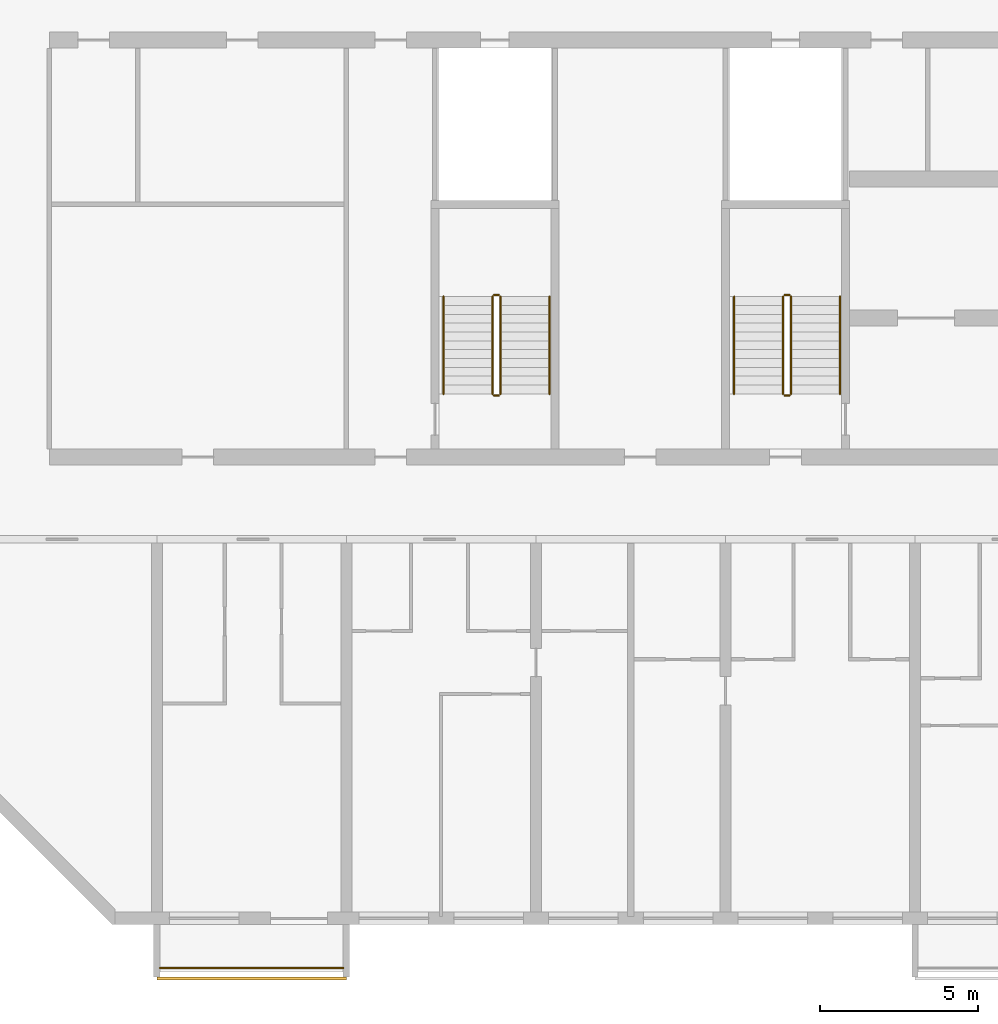
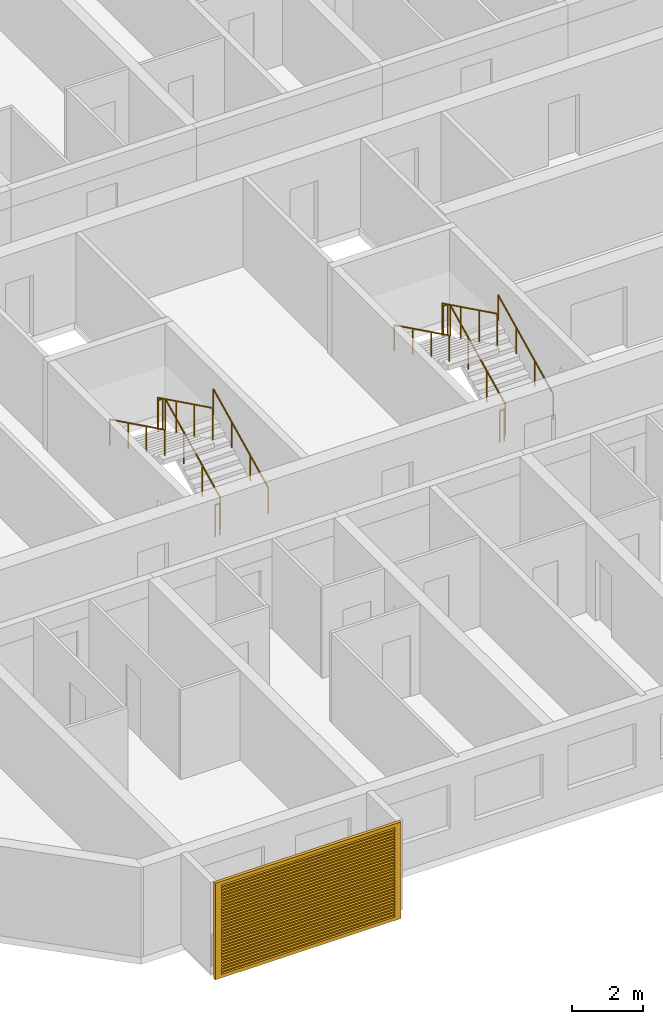
# One storey, part 17 of 30: 13 railings, 1 shading device.
"""IFC4 building model written with IfcOpenShell, lengths in metres."""

from ifc_helpers import new_model, si_unit, direction, frame, origin, origin_2d, place, context, subcontext, project, spatial, polyline, circle, outline, extrude, source, transform, mapped, material, material_profile, profile_set, type_object, element, save


model = new_model("IFC4")

# Units and contexts
model_context = context("Model", 3, precision=1e-05, world=origin(), true_north=direction((0.0, 1.0)))
body_context = subcontext(model_context, "Body", "Model", "MODEL_VIEW")
ifc_project = project(units=[si_unit("LENGTHUNIT", "METRE"), si_unit("AREAUNIT", "SQUARE_METRE"), si_unit("VOLUMEUNIT", "CUBIC_METRE"), si_unit("PLANEANGLEUNIT", "RADIAN"), si_unit("MASSUNIT", "GRAM", prefix="KILO")], contexts=[model_context])

# Site, building, storey
site_placement = place(None, origin())
site = spatial("IfcSite", under=ifc_project, at=site_placement, CompositionType="ELEMENT")
building_placement = place(site_placement, origin())
building = spatial("IfcBuilding", under=site, at=building_placement, Name="Poui Terraces", CompositionType="ELEMENT")
storey_placement = place(building_placement, frame((0.0, 0.0, 99.300048828125)))
storey = spatial("IfcBuildingStorey", under=building, at=storey_placement, Name="L27", CompositionType="ELEMENT", Elevation=99.300048828125)

# Railings
ifc_material_1 = material(Name="Painted steel fretwork", Category="steel")
railing_type_1 = type_object("IfcRailingType", Name="BALCONY GUARD 1100", PredefinedType="GUARDRAIL", material=ifc_material_1)
railing_1_placement = place(storey_placement, frame((12.10009765625, -1.570068359375, 0.0)))
element("IfcRailing", 1, at=railing_1_placement, inside=storey, type_object=railing_type_1, Name="BALCONY GUARD", PredefinedType="GUARDRAIL", context=body_context, shape_type="SweptSolid", body=[
    extrude(circle(Radius=0.02392578125, at=origin_2d()), frame((0.0, 0.0, 1.076171875), z_axis=(1.0, 0.0, 0.0), x_axis=(0.0, 1.0, 0.0)), (0.0, 0.0, 1.0), 5.7998046875),
    extrude(circle(Radius=0.02099609375, at=origin_2d()), origin(), (0.0, 0.0, 1.0), 1.052001953125),
    extrude(circle(Radius=0.02099609375, at=origin_2d()), frame((0.966552734375, 0.0, 0.0)), (0.0, 0.0, 1.0), 1.052001953125),
    extrude(circle(Radius=0.02099609375, at=origin_2d()), frame((1.933349609375, 0.0, 0.0)), (0.0, 0.0, 1.0), 1.052001953125),
    extrude(circle(Radius=0.02099609375, at=origin_2d()), frame((2.89990234375, 0.0, 0.0)), (0.0, 0.0, 1.0), 1.052001953125),
    extrude(circle(Radius=0.02099609375, at=origin_2d()), frame((3.866455078125, 0.0, 0.0)), (0.0, 0.0, 1.0), 1.052001953125),
    extrude(circle(Radius=0.02099609375, at=origin_2d()), frame((4.833251953125, 0.0, 0.0)), (0.0, 0.0, 1.0), 1.052001953125),
    extrude(circle(Radius=0.02099609375, at=origin_2d()), frame((5.7998046875, 0.0, 0.0)), (0.0, 0.0, 1.0), 1.052001953125),
])
ifc_material_2 = material(Name="Galvanised steel balustrade", Category="steel")
railing_type_2 = type_object("IfcRailingType", Name="STAIR GUARD 1100", PredefinedType="GUARDRAIL", material=ifc_material_2)
railing_2_placement = place(storey_placement, frame((32.074951171875, 16.60009765625, 0.137451171875)))
element("IfcRailing", 2, at=railing_2_placement, inside=storey, type_object=railing_type_2, Name="L27 ST-CW stair guard 1", PredefinedType="GUARDRAIL", context=body_context, shape_type="SweptSolid", body=[
    extrude(circle(Radius=0.02392578125, at=origin_2d()), frame((0.0, 0.0, 1.076171875), z_axis=(0.0, 0.897606190399, 0.440798283751), x_axis=(-1.0, 0.0, 0.0)), (0.0, 0.0, 1.0), 3.43115234375),
    extrude(circle(Radius=0.02099609375, at=origin_2d()), origin(), (0.0, 0.0, 1.0), 1.052001953125),
    extrude(circle(Radius=0.02099609375, at=origin_2d()), frame((0.0, 1.026611328125, 0.504150390625)), (0.0, 0.0, 1.0), 1.052001953125),
    extrude(circle(Radius=0.02099609375, at=origin_2d()), frame((0.0, 2.05322265625, 1.00830078125)), (0.0, 0.0, 1.0), 1.052001953125),
    extrude(circle(Radius=0.02099609375, at=origin_2d()), frame((0.0, 3.079833984375, 1.512451171875)), (0.0, 0.0, 1.0), 1.052001953125),
])
railing_3_placement = place(storey_placement, frame((32.02490234375, 19.72998046875, 1.64990234375)))
element("IfcRailing", 3, at=railing_3_placement, inside=storey, type_object=railing_type_2, Name="L27 ST-CW stair guard 2", PredefinedType="GUARDRAIL", context=body_context, shape_type="SweptSolid", body=[
    extrude(circle(Radius=0.02392578125, at=origin_2d()), frame((0.0, 0.0, 1.076171875), z_axis=(-1.0, 0.0, 0.0), x_axis=(0.0, -1.0, 0.0)), (0.0, 0.0, 1.0), 0.14990234375),
    extrude(circle(Radius=0.02099609375, at=origin_2d()), origin(), (0.0, 0.0, 1.0), 1.052001953125),
    extrude(circle(Radius=0.02099609375, at=origin_2d()), frame((-0.14990234375, 0.0, 0.0)), (0.0, 0.0, 1.0), 1.052001953125),
])
railing_4_placement = place(storey_placement, frame((31.824951171875, 19.679931640625, 1.787353515625)))
element("IfcRailing", 4, at=railing_4_placement, inside=storey, type_object=railing_type_2, Name="L27 ST-CW stair guard 3", PredefinedType="GUARDRAIL", context=body_context, shape_type="SweptSolid", body=[
    extrude(circle(Radius=0.02392578125, at=origin_2d()), frame((0.0, 0.0, 1.076171875), z_axis=(0.0, -0.897578036475, 0.440855609512), x_axis=(1.0, 0.0, 0.0)), (0.0, 0.0, 1.0), 3.43115234375),
    extrude(circle(Radius=0.02099609375, at=origin_2d()), origin(), (0.0, 0.0, 1.0), 1.052001953125),
    extrude(circle(Radius=0.02099609375, at=origin_2d()), frame((0.0, -1.026611328125, 0.504150390625)), (0.0, 0.0, 1.0), 1.052001953125),
    extrude(circle(Radius=0.02099609375, at=origin_2d()), frame((0.0, -2.05322265625, 1.008544921875)), (0.0, 0.0, 1.0), 1.052001953125),
    extrude(circle(Radius=0.02099609375, at=origin_2d()), frame((0.0, -3.079833984375, 1.5126953125)), (0.0, 0.0, 1.0), 1.052001953125),
])
railing_5_placement = place(storey_placement, frame((32.02490234375, 16.550048828125, 0.0)))
element("IfcRailing", 5, at=railing_5_placement, inside=storey, type_object=railing_type_2, Name="L27 ST-CW stair guard 4", PredefinedType="GUARDRAIL", context=body_context, shape_type="SweptSolid", body=[
    extrude(circle(Radius=0.02392578125, at=origin_2d()), frame((0.0, 0.0, 1.076171875), z_axis=(-1.0, 0.0, 0.0), x_axis=(0.0, -1.0, 0.0)), (0.0, 0.0, 1.0), 0.14990234375),
    extrude(circle(Radius=0.02099609375, at=origin_2d()), origin(), (0.0, 0.0, 1.0), 1.052001953125),
    extrude(circle(Radius=0.02099609375, at=origin_2d()), frame((-0.14990234375, 0.0, 0.0)), (0.0, 0.0, 1.0), 1.052001953125),
])
railing_6_placement = place(storey_placement, frame((22.875, 16.60009765625, 0.137451171875)))
element("IfcRailing", 6, at=railing_6_placement, inside=storey, type_object=railing_type_2, Name="L27 ST-W stair guard 1", PredefinedType="GUARDRAIL", context=body_context, shape_type="SweptSolid", body=[
    extrude(circle(Radius=0.02392578125, at=origin_2d()), frame((0.0, 0.0, 1.076171875), z_axis=(0.0, 0.897606190399, 0.440798283751), x_axis=(-1.0, 0.0, 0.0)), (0.0, 0.0, 1.0), 3.43115234375),
    extrude(circle(Radius=0.02099609375, at=origin_2d()), origin(), (0.0, 0.0, 1.0), 1.052001953125),
    extrude(circle(Radius=0.02099609375, at=origin_2d()), frame((0.0, 1.026611328125, 0.504150390625)), (0.0, 0.0, 1.0), 1.052001953125),
    extrude(circle(Radius=0.02099609375, at=origin_2d()), frame((0.0, 2.05322265625, 1.00830078125)), (0.0, 0.0, 1.0), 1.052001953125),
    extrude(circle(Radius=0.02099609375, at=origin_2d()), frame((0.0, 3.079833984375, 1.512451171875)), (0.0, 0.0, 1.0), 1.052001953125),
])
railing_7_placement = place(storey_placement, frame((22.824951171875, 19.72998046875, 1.64990234375)))
element("IfcRailing", 7, at=railing_7_placement, inside=storey, type_object=railing_type_2, Name="L27 ST-W stair guard 2", PredefinedType="GUARDRAIL", context=body_context, shape_type="SweptSolid", body=[
    extrude(circle(Radius=0.02392578125, at=origin_2d()), frame((0.0, 0.0, 1.076171875), z_axis=(-1.0, 0.0, 0.0), x_axis=(0.0, -1.0, 0.0)), (0.0, 0.0, 1.0), 0.14990234375),
    extrude(circle(Radius=0.02099609375, at=origin_2d()), origin(), (0.0, 0.0, 1.0), 1.052001953125),
    extrude(circle(Radius=0.02099609375, at=origin_2d()), frame((-0.14990234375, 0.0, 0.0)), (0.0, 0.0, 1.0), 1.052001953125),
])
railing_8_placement = place(storey_placement, frame((22.625, 19.679931640625, 1.787353515625)))
element("IfcRailing", 8, at=railing_8_placement, inside=storey, type_object=railing_type_2, Name="L27 ST-W stair guard 3", PredefinedType="GUARDRAIL", context=body_context, shape_type="SweptSolid", body=[
    extrude(circle(Radius=0.02392578125, at=origin_2d()), frame((0.0, 0.0, 1.076171875), z_axis=(0.0, -0.897578036475, 0.440855609512), x_axis=(1.0, 0.0, 0.0)), (0.0, 0.0, 1.0), 3.43115234375),
    extrude(circle(Radius=0.02099609375, at=origin_2d()), origin(), (0.0, 0.0, 1.0), 1.052001953125),
    extrude(circle(Radius=0.02099609375, at=origin_2d()), frame((0.0, -1.026611328125, 0.504150390625)), (0.0, 0.0, 1.0), 1.052001953125),
    extrude(circle(Radius=0.02099609375, at=origin_2d()), frame((0.0, -2.05322265625, 1.008544921875)), (0.0, 0.0, 1.0), 1.052001953125),
    extrude(circle(Radius=0.02099609375, at=origin_2d()), frame((0.0, -3.079833984375, 1.5126953125)), (0.0, 0.0, 1.0), 1.052001953125),
])
railing_9_placement = place(storey_placement, frame((22.824951171875, 16.550048828125, 0.0)))
element("IfcRailing", 9, at=railing_9_placement, inside=storey, type_object=railing_type_2, Name="L27 ST-W stair guard 4", PredefinedType="GUARDRAIL", context=body_context, shape_type="SweptSolid", body=[
    extrude(circle(Radius=0.02392578125, at=origin_2d()), frame((0.0, 0.0, 1.076171875), z_axis=(-1.0, 0.0, 0.0), x_axis=(0.0, -1.0, 0.0)), (0.0, 0.0, 1.0), 0.14990234375),
    extrude(circle(Radius=0.02099609375, at=origin_2d()), origin(), (0.0, 0.0, 1.0), 1.052001953125),
    extrude(circle(Radius=0.02099609375, at=origin_2d()), frame((-0.14990234375, 0.0, 0.0)), (0.0, 0.0, 1.0), 1.052001953125),
])
ifc_material_3 = material(Name="Stainless steel handrail", Category="steel")
railing_type_3 = type_object("IfcRailingType", Name="STAIR HANDRAIL 900", PredefinedType="HANDRAIL", material=ifc_material_3)
railing_10_placement = place(storey_placement, frame((33.625, 16.60009765625, 0.137451171875)))
element("IfcRailing", 10, at=railing_10_placement, inside=storey, type_object=railing_type_3, Name="L27 ST-CW stair handrail 1", PredefinedType="HANDRAIL", context=body_context, shape_type="SweptSolid", body=[
    extrude(circle(Radius=0.02392578125, at=origin_2d()), frame((0.0, 0.0, 0.8759765625), z_axis=(0.0, 0.897606190399, 0.440798283751), x_axis=(-1.0, 0.0, 0.0)), (0.0, 0.0, 1.0), 3.43115234375),
    extrude(circle(Radius=0.02099609375, at=origin_2d()), origin(), (0.0, 0.0, 1.0), 0.851806640625),
    extrude(circle(Radius=0.02099609375, at=origin_2d()), frame((0.0, 1.026611328125, 0.504150390625)), (0.0, 0.0, 1.0), 0.851806640625),
    extrude(circle(Radius=0.02099609375, at=origin_2d()), frame((0.0, 2.05322265625, 1.00830078125)), (0.0, 0.0, 1.0), 0.851806640625),
    extrude(circle(Radius=0.02099609375, at=origin_2d()), frame((0.0, 3.079833984375, 1.512451171875)), (0.0, 0.0, 1.0), 0.851806640625),
])
railing_11_placement = place(storey_placement, frame((30.27490234375, 19.679931640625, 1.787353515625)))
element("IfcRailing", 11, at=railing_11_placement, inside=storey, type_object=railing_type_3, Name="L27 ST-CW stair handrail 2", PredefinedType="HANDRAIL", context=body_context, shape_type="SweptSolid", body=[
    extrude(circle(Radius=0.02392578125, at=origin_2d()), frame((0.0, 0.0, 0.8759765625), z_axis=(0.0, -0.897578036475, 0.440855609512), x_axis=(1.0, 0.0, 0.0)), (0.0, 0.0, 1.0), 3.43115234375),
    extrude(circle(Radius=0.02099609375, at=origin_2d()), origin(), (0.0, 0.0, 1.0), 0.851806640625),
    extrude(circle(Radius=0.02099609375, at=origin_2d()), frame((0.0, -1.026611328125, 0.504150390625)), (0.0, 0.0, 1.0), 0.851806640625),
    extrude(circle(Radius=0.02099609375, at=origin_2d()), frame((0.0, -2.05322265625, 1.008544921875)), (0.0, 0.0, 1.0), 0.851806640625),
    extrude(circle(Radius=0.02099609375, at=origin_2d()), frame((0.0, -3.079833984375, 1.5126953125)), (0.0, 0.0, 1.0), 0.851806640625),
])
railing_12_placement = place(storey_placement, frame((24.425048828125, 16.60009765625, 0.137451171875)))
element("IfcRailing", 12, at=railing_12_placement, inside=storey, type_object=railing_type_3, Name="L27 ST-W stair handrail 1", PredefinedType="HANDRAIL", context=body_context, shape_type="SweptSolid", body=[
    extrude(circle(Radius=0.02392578125, at=origin_2d()), frame((0.0, 0.0, 0.8759765625), z_axis=(0.0, 0.897606190399, 0.440798283751), x_axis=(-1.0, 0.0, 0.0)), (0.0, 0.0, 1.0), 3.43115234375),
    extrude(circle(Radius=0.02099609375, at=origin_2d()), origin(), (0.0, 0.0, 1.0), 0.851806640625),
    extrude(circle(Radius=0.02099609375, at=origin_2d()), frame((0.0, 1.026611328125, 0.504150390625)), (0.0, 0.0, 1.0), 0.851806640625),
    extrude(circle(Radius=0.02099609375, at=origin_2d()), frame((0.0, 2.05322265625, 1.00830078125)), (0.0, 0.0, 1.0), 0.851806640625),
    extrude(circle(Radius=0.02099609375, at=origin_2d()), frame((0.0, 3.079833984375, 1.512451171875)), (0.0, 0.0, 1.0), 0.851806640625),
])
railing_13_placement = place(storey_placement, frame((21.074951171875, 19.679931640625, 1.787353515625)))
element("IfcRailing", 13, at=railing_13_placement, inside=storey, type_object=railing_type_3, Name="L27 ST-W stair handrail 2", PredefinedType="HANDRAIL", context=body_context, shape_type="SweptSolid", body=[
    extrude(circle(Radius=0.02392578125, at=origin_2d()), frame((0.0, 0.0, 0.8759765625), z_axis=(0.0, -0.897578036475, 0.440855609512), x_axis=(1.0, 0.0, 0.0)), (0.0, 0.0, 1.0), 3.43115234375),
    extrude(circle(Radius=0.02099609375, at=origin_2d()), origin(), (0.0, 0.0, 1.0), 0.851806640625),
    extrude(circle(Radius=0.02099609375, at=origin_2d()), frame((0.0, -1.026611328125, 0.504150390625)), (0.0, 0.0, 1.0), 0.851806640625),
    extrude(circle(Radius=0.02099609375, at=origin_2d()), frame((0.0, -2.05322265625, 1.008544921875)), (0.0, 0.0, 1.0), 0.851806640625),
    extrude(circle(Radius=0.02099609375, at=origin_2d()), frame((0.0, -3.079833984375, 1.5126953125)), (0.0, 0.0, 1.0), 0.851806640625),
])

# Shading device
ifc_material_4 = material(Name="Aluminium louvre", Category="aluminium")
ifc_material_profile = material_profile(ifc_material_4, outline(polyline([(-3.0, -1.64990234375), (3.0, -1.64990234375), (3.0, 1.64990234375), (-3.0, 1.64990234375), (-3.0, -1.64990234375)]), holes=[polyline([(-2.800048828125, -1.530029296875), (2.800048828125, -1.530029296875), (2.800048828125, -1.469970703125), (-2.800048828125, -1.469970703125), (-2.800048828125, -1.530029296875)]), polyline([(-2.800048828125, -1.429931640625), (2.800048828125, -1.429931640625), (2.800048828125, -1.3701171875), (-2.800048828125, -1.3701171875), (-2.800048828125, -1.429931640625)]), polyline([(-2.800048828125, -1.330078125), (2.800048828125, -1.330078125), (2.800048828125, -1.27001953125), (-2.800048828125, -1.27001953125), (-2.800048828125, -1.330078125)]), polyline([(-2.800048828125, -1.22998046875), (2.800048828125, -1.22998046875), (2.800048828125, -1.169921875), (-2.800048828125, -1.169921875), (-2.800048828125, -1.22998046875)]), polyline([(-2.800048828125, -1.1298828125), (2.800048828125, -1.1298828125), (2.800048828125, -1.070068359375), (-2.800048828125, -1.070068359375), (-2.800048828125, -1.1298828125)]), polyline([(-2.800048828125, -1.030029296875), (2.800048828125, -1.030029296875), (2.800048828125, -0.969970703125), (-2.800048828125, -0.969970703125), (-2.800048828125, -1.030029296875)]), polyline([(-2.800048828125, -0.929931640625), (2.800048828125, -0.929931640625), (2.800048828125, -0.8701171875), (-2.800048828125, -0.8701171875), (-2.800048828125, -0.929931640625)]), polyline([(-2.800048828125, -0.830078125), (2.800048828125, -0.830078125), (2.800048828125, -0.77001953125), (-2.800048828125, -0.77001953125), (-2.800048828125, -0.830078125)]), polyline([(-2.800048828125, -0.72998046875), (2.800048828125, -0.72998046875), (2.800048828125, -0.669921875), (-2.800048828125, -0.669921875), (-2.800048828125, -0.72998046875)]), polyline([(-2.800048828125, -0.6298828125), (2.800048828125, -0.6298828125), (2.800048828125, -0.570068359375), (-2.800048828125, -0.570068359375), (-2.800048828125, -0.6298828125)]), polyline([(-2.800048828125, -0.530029296875), (2.800048828125, -0.530029296875), (2.800048828125, -0.469970703125), (-2.800048828125, -0.469970703125), (-2.800048828125, -0.530029296875)]), polyline([(-2.800048828125, -0.429931640625), (2.800048828125, -0.429931640625), (2.800048828125, -0.3701171875), (-2.800048828125, -0.3701171875), (-2.800048828125, -0.429931640625)]), polyline([(-2.800048828125, -0.330078125), (2.800048828125, -0.330078125), (2.800048828125, -0.27001953125), (-2.800048828125, -0.27001953125), (-2.800048828125, -0.330078125)]), polyline([(-2.800048828125, -0.22998046875), (2.800048828125, -0.22998046875), (2.800048828125, -0.169921875), (-2.800048828125, -0.169921875), (-2.800048828125, -0.22998046875)]), polyline([(-2.800048828125, -0.1298828125), (2.800048828125, -0.1298828125), (2.800048828125, -0.070068359375), (-2.800048828125, -0.070068359375), (-2.800048828125, -0.1298828125)]), polyline([(-2.800048828125, -0.030029296875), (2.800048828125, -0.030029296875), (2.800048828125, 0.030029296875), (-2.800048828125, 0.030029296875), (-2.800048828125, -0.030029296875)]), polyline([(-2.800048828125, 0.070068359375), (2.800048828125, 0.070068359375), (2.800048828125, 0.1298828125), (-2.800048828125, 0.1298828125), (-2.800048828125, 0.070068359375)]), polyline([(-2.800048828125, 0.169921875), (2.800048828125, 0.169921875), (2.800048828125, 0.22998046875), (-2.800048828125, 0.22998046875), (-2.800048828125, 0.169921875)]), polyline([(-2.800048828125, 0.27001953125), (2.800048828125, 0.27001953125), (2.800048828125, 0.330078125), (-2.800048828125, 0.330078125), (-2.800048828125, 0.27001953125)]), polyline([(-2.800048828125, 0.3701171875), (2.800048828125, 0.3701171875), (2.800048828125, 0.429931640625), (-2.800048828125, 0.429931640625), (-2.800048828125, 0.3701171875)]), polyline([(-2.800048828125, 0.469970703125), (2.800048828125, 0.469970703125), (2.800048828125, 0.530029296875), (-2.800048828125, 0.530029296875), (-2.800048828125, 0.469970703125)]), polyline([(-2.800048828125, 0.570068359375), (2.800048828125, 0.570068359375), (2.800048828125, 0.6298828125), (-2.800048828125, 0.6298828125), (-2.800048828125, 0.570068359375)]), polyline([(-2.800048828125, 0.669921875), (2.800048828125, 0.669921875), (2.800048828125, 0.72998046875), (-2.800048828125, 0.72998046875), (-2.800048828125, 0.669921875)]), polyline([(-2.800048828125, 0.77001953125), (2.800048828125, 0.77001953125), (2.800048828125, 0.830078125), (-2.800048828125, 0.830078125), (-2.800048828125, 0.77001953125)]), polyline([(-2.800048828125, 0.8701171875), (2.800048828125, 0.8701171875), (2.800048828125, 0.929931640625), (-2.800048828125, 0.929931640625), (-2.800048828125, 0.8701171875)]), polyline([(-2.800048828125, 0.969970703125), (2.800048828125, 0.969970703125), (2.800048828125, 1.030029296875), (-2.800048828125, 1.030029296875), (-2.800048828125, 0.969970703125)]), polyline([(-2.800048828125, 1.070068359375), (2.800048828125, 1.070068359375), (2.800048828125, 1.1298828125), (-2.800048828125, 1.1298828125), (-2.800048828125, 1.070068359375)]), polyline([(-2.800048828125, 1.169921875), (2.800048828125, 1.169921875), (2.800048828125, 1.22998046875), (-2.800048828125, 1.22998046875), (-2.800048828125, 1.169921875)]), polyline([(-2.800048828125, 1.27001953125), (2.800048828125, 1.27001953125), (2.800048828125, 1.330078125), (-2.800048828125, 1.330078125), (-2.800048828125, 1.27001953125)]), polyline([(-2.800048828125, 1.3701171875), (2.800048828125, 1.3701171875), (2.800048828125, 1.429931640625), (-2.800048828125, 1.429931640625), (-2.800048828125, 1.3701171875)]), polyline([(-2.800048828125, 1.469970703125), (2.800048828125, 1.469970703125), (2.800048828125, 1.530029296875), (-2.800048828125, 1.530029296875), (-2.800048828125, 1.469970703125)])]), Name="JALOUSIE LOUVRE SHUTTER 6000X3300")
ifc_profile_set = profile_set([ifc_material_profile], Name="Aluminium louvre")
shading_device_type = type_object("IfcShadingDeviceType", Name="JALOUSIE LOUVRE SHUTTER 6000X3300", PredefinedType="JALOUSIE", material=ifc_profile_set)
shared_shape = source(origin(), body_context, "Body", "SweptSolid", [
    extrude(outline(polyline([(-3.0, -1.64990234375), (3.0, -1.64990234375), (3.0, 1.64990234375), (-3.0, 1.64990234375), (-3.0, -1.64990234375)]), holes=[polyline([(-2.800048828125, -1.530029296875), (2.800048828125, -1.530029296875), (2.800048828125, -1.469970703125), (-2.800048828125, -1.469970703125), (-2.800048828125, -1.530029296875)]), polyline([(-2.800048828125, -1.429931640625), (2.800048828125, -1.429931640625), (2.800048828125, -1.3701171875), (-2.800048828125, -1.3701171875), (-2.800048828125, -1.429931640625)]), polyline([(-2.800048828125, -1.330078125), (2.800048828125, -1.330078125), (2.800048828125, -1.27001953125), (-2.800048828125, -1.27001953125), (-2.800048828125, -1.330078125)]), polyline([(-2.800048828125, -1.22998046875), (2.800048828125, -1.22998046875), (2.800048828125, -1.169921875), (-2.800048828125, -1.169921875), (-2.800048828125, -1.22998046875)]), polyline([(-2.800048828125, -1.1298828125), (2.800048828125, -1.1298828125), (2.800048828125, -1.070068359375), (-2.800048828125, -1.070068359375), (-2.800048828125, -1.1298828125)]), polyline([(-2.800048828125, -1.030029296875), (2.800048828125, -1.030029296875), (2.800048828125, -0.969970703125), (-2.800048828125, -0.969970703125), (-2.800048828125, -1.030029296875)]), polyline([(-2.800048828125, -0.929931640625), (2.800048828125, -0.929931640625), (2.800048828125, -0.8701171875), (-2.800048828125, -0.8701171875), (-2.800048828125, -0.929931640625)]), polyline([(-2.800048828125, -0.830078125), (2.800048828125, -0.830078125), (2.800048828125, -0.77001953125), (-2.800048828125, -0.77001953125), (-2.800048828125, -0.830078125)]), polyline([(-2.800048828125, -0.72998046875), (2.800048828125, -0.72998046875), (2.800048828125, -0.669921875), (-2.800048828125, -0.669921875), (-2.800048828125, -0.72998046875)]), polyline([(-2.800048828125, -0.6298828125), (2.800048828125, -0.6298828125), (2.800048828125, -0.570068359375), (-2.800048828125, -0.570068359375), (-2.800048828125, -0.6298828125)]), polyline([(-2.800048828125, -0.530029296875), (2.800048828125, -0.530029296875), (2.800048828125, -0.469970703125), (-2.800048828125, -0.469970703125), (-2.800048828125, -0.530029296875)]), polyline([(-2.800048828125, -0.429931640625), (2.800048828125, -0.429931640625), (2.800048828125, -0.3701171875), (-2.800048828125, -0.3701171875), (-2.800048828125, -0.429931640625)]), polyline([(-2.800048828125, -0.330078125), (2.800048828125, -0.330078125), (2.800048828125, -0.27001953125), (-2.800048828125, -0.27001953125), (-2.800048828125, -0.330078125)]), polyline([(-2.800048828125, -0.22998046875), (2.800048828125, -0.22998046875), (2.800048828125, -0.169921875), (-2.800048828125, -0.169921875), (-2.800048828125, -0.22998046875)]), polyline([(-2.800048828125, -0.1298828125), (2.800048828125, -0.1298828125), (2.800048828125, -0.070068359375), (-2.800048828125, -0.070068359375), (-2.800048828125, -0.1298828125)]), polyline([(-2.800048828125, -0.030029296875), (2.800048828125, -0.030029296875), (2.800048828125, 0.030029296875), (-2.800048828125, 0.030029296875), (-2.800048828125, -0.030029296875)]), polyline([(-2.800048828125, 0.070068359375), (2.800048828125, 0.070068359375), (2.800048828125, 0.1298828125), (-2.800048828125, 0.1298828125), (-2.800048828125, 0.070068359375)]), polyline([(-2.800048828125, 0.169921875), (2.800048828125, 0.169921875), (2.800048828125, 0.22998046875), (-2.800048828125, 0.22998046875), (-2.800048828125, 0.169921875)]), polyline([(-2.800048828125, 0.27001953125), (2.800048828125, 0.27001953125), (2.800048828125, 0.330078125), (-2.800048828125, 0.330078125), (-2.800048828125, 0.27001953125)]), polyline([(-2.800048828125, 0.3701171875), (2.800048828125, 0.3701171875), (2.800048828125, 0.429931640625), (-2.800048828125, 0.429931640625), (-2.800048828125, 0.3701171875)]), polyline([(-2.800048828125, 0.469970703125), (2.800048828125, 0.469970703125), (2.800048828125, 0.530029296875), (-2.800048828125, 0.530029296875), (-2.800048828125, 0.469970703125)]), polyline([(-2.800048828125, 0.570068359375), (2.800048828125, 0.570068359375), (2.800048828125, 0.6298828125), (-2.800048828125, 0.6298828125), (-2.800048828125, 0.570068359375)]), polyline([(-2.800048828125, 0.669921875), (2.800048828125, 0.669921875), (2.800048828125, 0.72998046875), (-2.800048828125, 0.72998046875), (-2.800048828125, 0.669921875)]), polyline([(-2.800048828125, 0.77001953125), (2.800048828125, 0.77001953125), (2.800048828125, 0.830078125), (-2.800048828125, 0.830078125), (-2.800048828125, 0.77001953125)]), polyline([(-2.800048828125, 0.8701171875), (2.800048828125, 0.8701171875), (2.800048828125, 0.929931640625), (-2.800048828125, 0.929931640625), (-2.800048828125, 0.8701171875)]), polyline([(-2.800048828125, 0.969970703125), (2.800048828125, 0.969970703125), (2.800048828125, 1.030029296875), (-2.800048828125, 1.030029296875), (-2.800048828125, 0.969970703125)]), polyline([(-2.800048828125, 1.070068359375), (2.800048828125, 1.070068359375), (2.800048828125, 1.1298828125), (-2.800048828125, 1.1298828125), (-2.800048828125, 1.070068359375)]), polyline([(-2.800048828125, 1.169921875), (2.800048828125, 1.169921875), (2.800048828125, 1.22998046875), (-2.800048828125, 1.22998046875), (-2.800048828125, 1.169921875)]), polyline([(-2.800048828125, 1.27001953125), (2.800048828125, 1.27001953125), (2.800048828125, 1.330078125), (-2.800048828125, 1.330078125), (-2.800048828125, 1.27001953125)]), polyline([(-2.800048828125, 1.3701171875), (2.800048828125, 1.3701171875), (2.800048828125, 1.429931640625), (-2.800048828125, 1.429931640625), (-2.800048828125, 1.3701171875)]), polyline([(-2.800048828125, 1.469970703125), (2.800048828125, 1.469970703125), (2.800048828125, 1.530029296875), (-2.800048828125, 1.530029296875), (-2.800048828125, 1.469970703125)])]), origin(), (0.0, 0.0, 1.0), 0.099853515625),
])
shading_device_placement = place(storey_placement, frame((15.0, -1.85009765625, 1.449951171875), z_axis=(0.0, -1.0, 0.0), x_axis=(1.0, 0.0, 0.0)))
element("IfcShadingDevice", 14, at=shading_device_placement, inside=storey, type_object=shading_device_type, Name="JALOUSIE LOUVRE SHUTTER", PredefinedType="JALOUSIE", context=body_context, shape_type="MappedRepresentation", body=[
    mapped(shared_shape, transform((0.0, 0.0, 0.0))),
])

save(model, "model.ifc")
